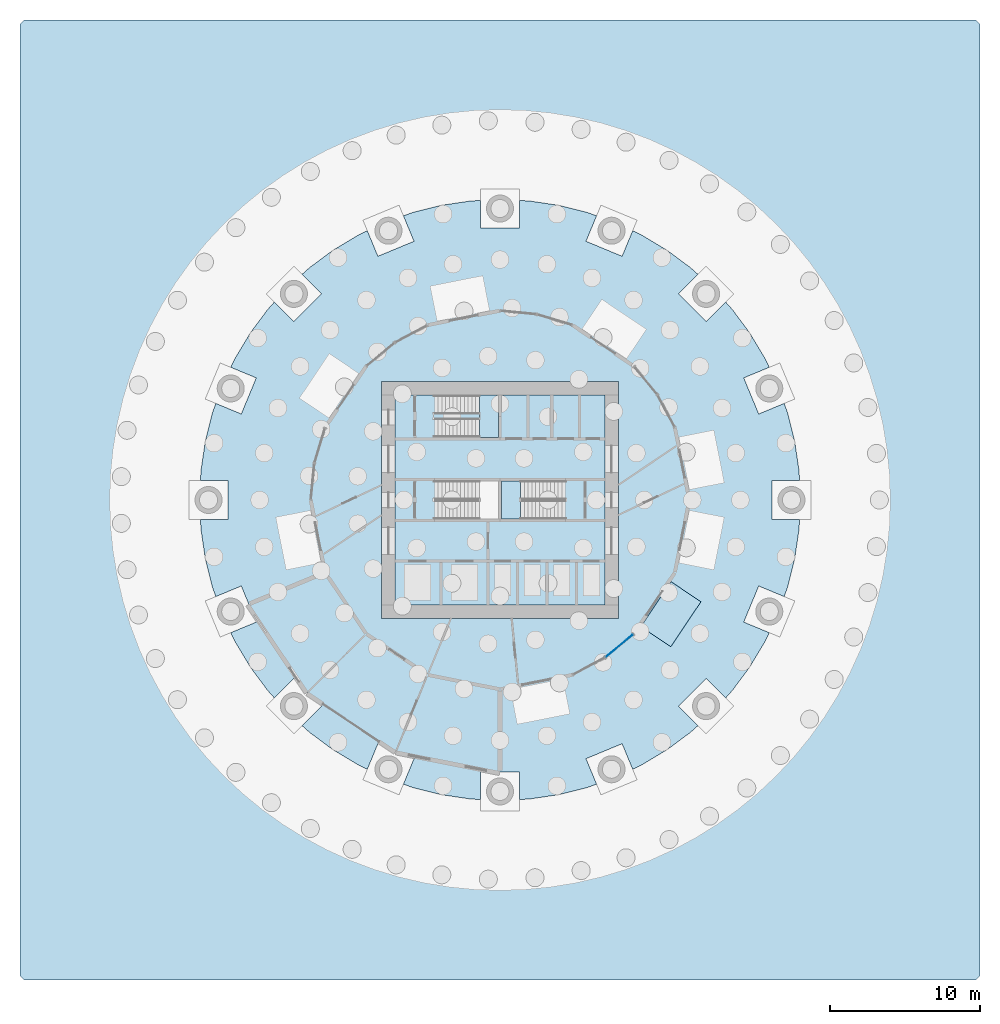
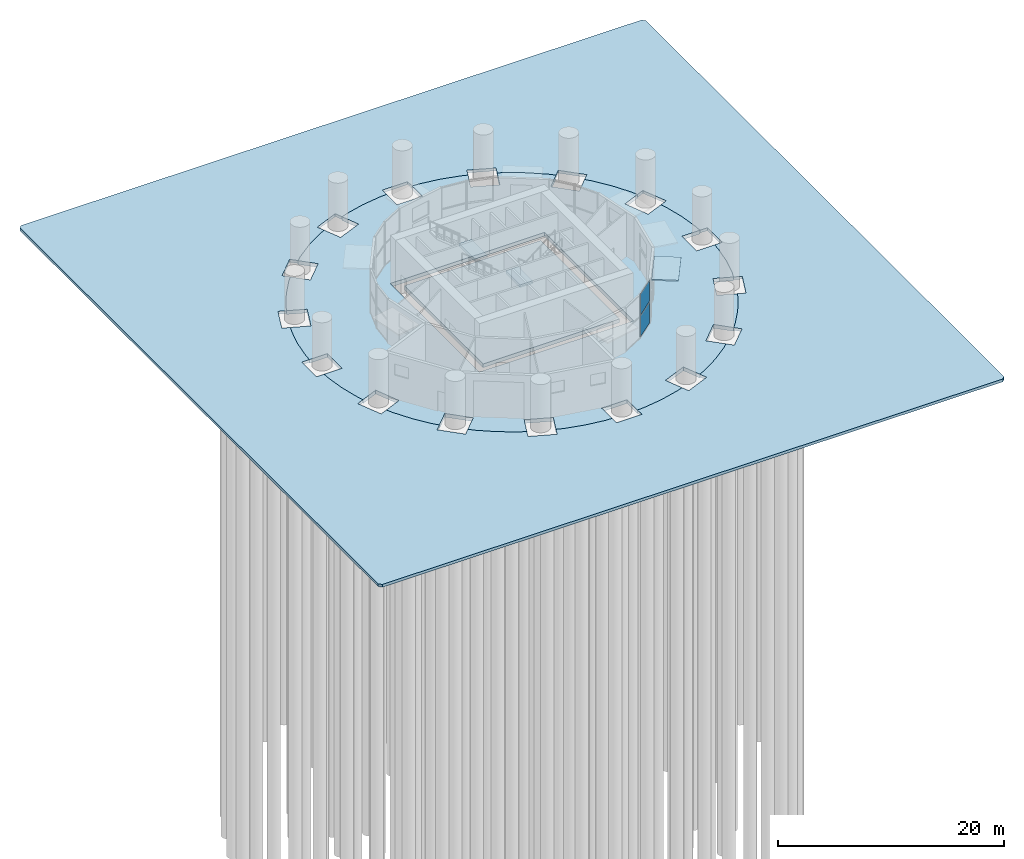
# One storey, part 4 of 10: 5 slabs, 3 plates, 3 elements without a shape of their own.
"""IFC4 building model written with IfcOpenShell, lengths in metres."""

from ifc_helpers import new_model, si_unit, direction, frame, origin, origin_2d, place, context, subcontext, project, spatial, polyline, rectangle, outline, extrude, material, layer, layer_set, type_object, element, aggregate, save


model = new_model("IFC4")

# Units and contexts
model_context = context("Model", 3, precision=1e-05, world=origin(), true_north=direction((0.0, 1.0)))
body_context = subcontext(model_context, "Body", "Model", "MODEL_VIEW")
ifc_project = project(units=[si_unit("LENGTHUNIT", "METRE"), si_unit("AREAUNIT", "SQUARE_METRE"), si_unit("VOLUMEUNIT", "CUBIC_METRE"), si_unit("PLANEANGLEUNIT", "RADIAN"), si_unit("MASSUNIT", "GRAM", prefix="KILO")], contexts=[model_context])

# Site, building, storey
site_placement = place(None, origin())
site = spatial("IfcSite", under=ifc_project, at=site_placement, CompositionType="ELEMENT")
building_placement = place(site_placement, origin())
building = spatial("IfcBuilding", under=site, at=building_placement, Name="Polderwave Tower", CompositionType="ELEMENT")
storey_placement = place(building_placement, origin())
storey = spatial("IfcBuildingStorey", under=building, at=storey_placement, Name="L00", CompositionType="ELEMENT", Elevation=0.0)

# Slab
ifc_material_1 = material(Name="Concrete C40/50", Category="concrete")
ifc_layer_1 = layer(ifc_material_1, 0.39990234375)
ifc_layer_set_1 = layer_set([ifc_layer_1], Name="Core floor slab 400")
slab_type_1 = type_object("IfcSlabType", Name="Core floor slab 400", PredefinedType="FLOOR", material=ifc_layer_set_1)
slab_1_placement = place(storey_placement, frame((0.0, 0.0, -0.39990234375)))
element("IfcSlab", 1, at=slab_1_placement, inside=storey, type_object=slab_type_1, Name="L00 core floor", PredefinedType="FLOOR", context=body_context, shape_type="SweptSolid", body=[
    extrude(outline(polyline([(-6.97412109375, -6.97412109375), (6.97412109375, -6.97412109375), (6.97412109375, 6.97412109375), (-6.97412109375, 6.97412109375), (-6.97412109375, -6.97412109375)])), origin(), (0.0, 0.0, 1.0), 0.39990234375),
])

# Plate
ifc_material_2 = material(Name="Stainless steel 316", Category="steel")
ifc_layer_2 = layer(ifc_material_2, 0.14990234375)
ifc_layer_set_2 = layer_set([ifc_layer_2], Name="Entrance canopy")
plate_type_1 = type_object("IfcPlateType", Name="Entrance canopy", PredefinedType="USERDEFINED", material=ifc_layer_set_2)
plate_1_placement = place(storey_placement, frame((11.376953125, -7.601806640625, 4.150146484375), z_axis=(0.0, 0.0, 1.0), x_axis=(0.55557023302, 0.831469612303, 0.0)))
element("IfcPlate", 2, at=plate_1_placement, inside=storey, type_object=plate_type_1, Name="Entrance canopy E7", ObjectType="CANOPY", PredefinedType="USERDEFINED", context=body_context, shape_type="SweptSolid", body=[
    extrude(rectangle(XDim=3.60009765625, YDim=2.39990234375, at=origin_2d()), origin(), (0.0, 0.0, 1.0), 0.14990234375),
])

# Curtain wall, plates
ifc_material_3 = material(Name="Aluminium 6063-T6 and glass", Category="aluminium")
curtain_wall_type = type_object("IfcCurtainWallType", Name="Entrance ring glazing wall", PredefinedType="NOTDEFINED", material=ifc_material_3)
curtain_wall_placement = place(storey_placement, origin())
curtain_wall = element("IfcCurtainWall", 3, at=curtain_wall_placement, inside=storey, type_object=curtain_wall_type, Name="CW5 L00 13b", PredefinedType="NOTDEFINED")
ifc_material_4 = material(Name="Glass, low-e laminated double glazing", Category="glass")
ifc_layer_3 = layer(ifc_material_4, 0.0400390625)
ifc_layer_set_3 = layer_set([ifc_layer_3], Name="Entrance ring glazing glass panel 40 mm")
plate_type_2 = type_object("IfcPlateType", Name="Entrance ring glazing glass panel 40 mm", PredefinedType="CURTAIN_PANEL", material=ifc_layer_set_3)
plate_2_placement = place(storey_placement, frame((7.955078125, -9.693603515625, 0.10009765625), z_axis=(0.0, 0.0, 1.0), x_axis=(0.773108987075, 0.63427320147, 0.0)))
plate_2 = element("IfcPlate", 4, at=plate_2_placement, type_object=plate_type_2, Name="CW5 panel 1", PredefinedType="CURTAIN_PANEL", context=body_context, shape_type="SweptSolid", body=[
    extrude(rectangle(XDim=2.340576171875, YDim=0.0400390625, at=origin_2d()), origin(), (0.0, 0.0, 1.0), 2.25),
])
plate_3_placement = place(storey_placement, frame((7.955078125, -9.693603515625, 2.449951171875), z_axis=(0.0, 0.0, 1.0), x_axis=(0.773108987075, 0.63427320147, 0.0)))
plate_3 = element("IfcPlate", 5, at=plate_3_placement, type_object=plate_type_2, Name="CW5 panel 2", PredefinedType="CURTAIN_PANEL", context=body_context, shape_type="SweptSolid", body=[
    extrude(rectangle(XDim=2.340576171875, YDim=0.0400390625, at=origin_2d()), origin(), (0.0, 0.0, 1.0), 2.25),
])
aggregate(curtain_wall, [plate_2, plate_3])

# Slabs
ifc_material_5 = material(Name="Concrete C35/45", Category="concrete")
ifc_layer_4 = layer(ifc_material_5, 0.39990234375)
ifc_layer_set_4 = layer_set([ifc_layer_4], Name="GROUND SLAB 400 C35/45")
slab_type_2 = type_object("IfcSlabType", Name="GROUND SLAB 400 C35/45", PredefinedType="BASESLAB", material=ifc_layer_set_4)
slab_2_placement = place(storey_placement, frame((0.0, 0.0, -0.39990234375)))
element("IfcSlab", 6, at=slab_2_placement, inside=storey, type_object=slab_type_2, Name="ST-SLAB-L00", PredefinedType="BASESLAB", context=body_context, shape_type="SweptSolid", body=[
    extrude(outline(polyline([(19.138916015625, 5.8056640625), (19.61572265625, 3.90185546875), (19.90380859375, 1.960205078125), (19.93603515625, 1.300048828125), (18.10009765625, 1.300048828125), (18.10009765625, -1.300048828125), (19.93603515625, -1.300048828125), (19.90380859375, -1.960205078125), (19.61572265625, -3.90185546875), (19.138916015625, -5.8056640625), (18.916015625, -6.42822265625), (17.2197265625, -5.7255859375), (16.224609375, -8.127685546875), (17.921142578125, -8.830322265625), (17.638427734375, -9.427978515625), (16.62939453125, -11.111328125), (15.460205078125, -12.68798828125), (15.01611328125, -13.177734375), (13.718017578125, -11.87939453125), (11.87939453125, -13.718017578125), (13.177734375, -15.01611328125), (12.68798828125, -15.460205078125), (11.111328125, -16.62939453125), (9.427978515625, -17.638427734375), (8.830322265625, -17.921142578125), (8.127685546875, -16.224609375), (5.7255859375, -17.2197265625), (6.42822265625, -18.916015625), (5.8056640625, -19.138916015625), (3.90185546875, -19.61572265625), (1.960205078125, -19.90380859375), (1.300048828125, -19.93603515625), (1.300048828125, -18.10009765625), (-1.300048828125, -18.10009765625), (-1.300048828125, -19.93603515625), (-1.960205078125, -19.90380859375), (-3.90185546875, -19.61572265625), (-5.8056640625, -19.138916015625), (-6.42822265625, -18.916015625), (-5.7255859375, -17.2197265625), (-8.127685546875, -16.224609375), (-8.830322265625, -17.921142578125), (-9.427978515625, -17.638427734375), (-11.111328125, -16.62939453125), (-12.68798828125, -15.460205078125), (-13.177734375, -15.01611328125), (-11.87939453125, -13.718017578125), (-13.718017578125, -11.87939453125), (-15.01611328125, -13.177734375), (-15.460205078125, -12.68798828125), (-16.62939453125, -11.111328125), (-17.638427734375, -9.427978515625), (-17.921142578125, -8.830322265625), (-16.224609375, -8.127685546875), (-17.2197265625, -5.7255859375), (-18.916015625, -6.42822265625), (-19.138916015625, -5.8056640625), (-19.61572265625, -3.90185546875), (-19.90380859375, -1.960205078125), (-19.93603515625, -1.300048828125), (-18.10009765625, -1.300048828125), (-18.10009765625, 1.300048828125), (-19.93603515625, 1.300048828125), (-19.90380859375, 1.960205078125), (-19.61572265625, 3.90185546875), (-19.138916015625, 5.8056640625), (-18.916015625, 6.42822265625), (-17.2197265625, 5.7255859375), (-16.224609375, 8.127685546875), (-17.921142578125, 8.830322265625), (-17.638427734375, 9.427978515625), (-16.62939453125, 11.111328125), (-15.460205078125, 12.68798828125), (-15.01611328125, 13.177734375), (-13.718017578125, 11.87939453125), (-11.87939453125, 13.718017578125), (-13.177734375, 15.01611328125), (-12.68798828125, 15.460205078125), (-11.111328125, 16.62939453125), (-9.427978515625, 17.638427734375), (-8.830322265625, 17.921142578125), (-8.127685546875, 16.224609375), (-5.7255859375, 17.2197265625), (-6.42822265625, 18.916015625), (-5.8056640625, 19.138916015625), (-3.90185546875, 19.61572265625), (-1.960205078125, 19.90380859375), (-1.300048828125, 19.93603515625), (-1.300048828125, 18.10009765625), (1.300048828125, 18.10009765625), (1.300048828125, 19.93603515625), (1.960205078125, 19.90380859375), (3.90185546875, 19.61572265625), (5.8056640625, 19.138916015625), (6.42822265625, 18.916015625), (5.7255859375, 17.2197265625), (8.127685546875, 16.224609375), (8.830322265625, 17.921142578125), (9.427978515625, 17.638427734375), (11.111328125, 16.62939453125), (12.68798828125, 15.460205078125), (13.177734375, 15.01611328125), (11.87939453125, 13.718017578125), (13.718017578125, 11.87939453125), (15.01611328125, 13.177734375), (15.460205078125, 12.68798828125), (16.62939453125, 11.111328125), (17.638427734375, 9.427978515625), (17.921142578125, 8.830322265625), (16.224609375, 8.127685546875), (17.2197265625, 5.7255859375), (18.916015625, 6.42822265625), (19.138916015625, 5.8056640625)]), holes=[polyline([(-7.8740234375, -7.8740234375), (7.8740234375, -7.8740234375), (7.8740234375, 7.8740234375), (-7.8740234375, 7.8740234375), (-7.8740234375, -7.8740234375)])]), origin(), (0.0, 0.0, 1.0), 0.39990234375),
])
ifc_material_6 = material(Name="Concrete C35/45 paving", Category="concrete")
ifc_layer_5 = layer(ifc_material_6, 0.300048828125)
ifc_layer_set_5 = layer_set([ifc_layer_5], Name="Plaza paving")
slab_type_3 = type_object("IfcSlabType", Name="Plaza paving", PredefinedType="USERDEFINED", material=ifc_layer_set_5)
slab_3_placement = place(storey_placement, frame((0.0, 0.0, -0.300048828125)))
element("IfcSlab", 7, at=slab_3_placement, inside=storey, type_object=slab_type_3, Name="Plaza paving", ObjectType="PAVING", PredefinedType="USERDEFINED", context=body_context, shape_type="SweptSolid", body=[
    extrude(outline(polyline([(31.949951171875, 31.6689453125), (31.67626953125, 31.949951171875), (-31.67626953125, 31.949951171875), (-31.949951171875, 31.6689453125), (-31.949951171875, -31.6689453125), (-31.67626953125, -31.949951171875), (31.67626953125, -31.949951171875), (31.949951171875, -31.6689453125), (31.949951171875, 31.6689453125)]), holes=[polyline([(1.302001953125, -20.7001953125), (1.302001953125, -20.700439453125), (1.302001953125, -20.70068359375), (1.3017578125, -20.70068359375), (1.3017578125, -20.700927734375), (1.3017578125, -20.701171875), (1.301513671875, -20.701416015625), (1.301513671875, -20.701416015625), (1.30126953125, -20.701416015625), (1.301025390625, -20.70166015625), (1.30078125, -20.701904296875), (1.30078125, -20.701904296875), (1.300537109375, -20.701904296875), (1.30029296875, -20.701904296875), (1.30029296875, -20.701904296875), (1.300048828125, -20.701904296875), (-1.300048828125, -20.701904296875), (-1.30029296875, -20.701904296875), (-1.30029296875, -20.701904296875), (-1.300537109375, -20.701904296875), (-1.30078125, -20.701904296875), (-1.30078125, -20.701904296875), (-1.301025390625, -20.70166015625), (-1.30126953125, -20.701416015625), (-1.301513671875, -20.701416015625), (-1.301513671875, -20.701416015625), (-1.3017578125, -20.701171875), (-1.3017578125, -20.700927734375), (-1.3017578125, -20.70068359375), (-1.302001953125, -20.70068359375), (-1.302001953125, -20.700439453125), (-1.302001953125, -20.7001953125), (-1.302001953125, -20.699951171875), (-1.302001953125, -19.93603515625), (-1.960205078125, -19.90380859375), (-3.90185546875, -19.61572265625), (-5.8056640625, -19.138916015625), (-6.42626953125, -18.916748046875), (-6.71875, -19.62255859375), (-6.71875, -19.622802734375), (-6.71875, -19.622802734375), (-6.718994140625, -19.623046875), (-6.718994140625, -19.623291015625), (-6.71923828125, -19.623291015625), (-6.719482421875, -19.62353515625), (-6.719482421875, -19.62353515625), (-6.7197265625, -19.62353515625), (-6.719970703125, -19.623779296875), (-6.72021484375, -19.623779296875), (-6.72021484375, -19.623779296875), (-6.720458984375, -19.623779296875), (-6.720703125, -19.623779296875), (-6.720947265625, -19.623779296875), (-6.72119140625, -19.623779296875), (-6.72119140625, -19.62353515625), (-9.123291015625, -18.628662109375), (-9.12353515625, -18.628662109375), (-9.123779296875, -18.62841796875), (-9.123779296875, -18.62841796875), (-9.1240234375, -18.628173828125), (-9.1240234375, -18.628173828125), (-9.124267578125, -18.6279296875), (-9.12451171875, -18.627685546875), (-9.12451171875, -18.627685546875), (-9.12451171875, -18.62744140625), (-9.12451171875, -18.627197265625), (-9.12451171875, -18.626953125), (-9.12451171875, -18.626708984375), (-9.12451171875, -18.626708984375), (-9.12451171875, -18.62646484375), (-9.12451171875, -18.626220703125), (-9.12451171875, -18.626220703125), (-8.83203125, -17.920166015625), (-9.427978515625, -17.638427734375), (-11.111328125, -16.62939453125), (-12.68798828125, -15.460205078125), (-13.17626953125, -15.017578125), (-13.716552734375, -15.557861328125), (-13.716552734375, -15.557861328125), (-13.716796875, -15.55810546875), (-13.716796875, -15.55810546875), (-13.717041015625, -15.55810546875), (-13.71728515625, -15.558349609375), (-13.717529296875, -15.558349609375), (-13.7177734375, -15.558349609375), (-13.718017578125, -15.558349609375), (-13.718017578125, -15.558349609375), (-13.71826171875, -15.558349609375), (-13.718505859375, -15.558349609375), (-13.718505859375, -15.55810546875), (-13.71875, -15.55810546875), (-13.718994140625, -15.55810546875), (-13.718994140625, -15.557861328125), (-13.71923828125, -15.557861328125), (-15.557861328125, -13.71923828125), (-15.557861328125, -13.718994140625), (-15.55810546875, -13.718994140625), (-15.55810546875, -13.71875), (-15.55810546875, -13.718505859375), (-15.558349609375, -13.718505859375), (-15.558349609375, -13.71826171875), (-15.558349609375, -13.718017578125), (-15.558349609375, -13.718017578125), (-15.558349609375, -13.7177734375), (-15.558349609375, -13.717529296875), (-15.558349609375, -13.71728515625), (-15.55810546875, -13.717041015625), (-15.55810546875, -13.716796875), (-15.55810546875, -13.716796875), (-15.557861328125, -13.716552734375), (-15.557861328125, -13.716552734375), (-15.017578125, -13.17626953125), (-15.460205078125, -12.68798828125), (-16.62939453125, -11.111328125), (-17.638427734375, -9.427978515625), (-17.920166015625, -8.83203125), (-18.626220703125, -9.12451171875), (-18.626220703125, -9.12451171875), (-18.62646484375, -9.12451171875), (-18.626708984375, -9.12451171875), (-18.626708984375, -9.12451171875), (-18.626953125, -9.12451171875), (-18.627197265625, -9.12451171875), (-18.62744140625, -9.12451171875), (-18.627685546875, -9.12451171875), (-18.627685546875, -9.12451171875), (-18.6279296875, -9.124267578125), (-18.628173828125, -9.1240234375), (-18.628173828125, -9.1240234375), (-18.62841796875, -9.123779296875), (-18.62841796875, -9.123779296875), (-18.628662109375, -9.12353515625), (-18.628662109375, -9.123291015625), (-19.62353515625, -6.72119140625), (-19.623779296875, -6.72119140625), (-19.623779296875, -6.720947265625), (-19.623779296875, -6.720703125), (-19.623779296875, -6.720458984375), (-19.623779296875, -6.72021484375), (-19.623779296875, -6.72021484375), (-19.623779296875, -6.719970703125), (-19.62353515625, -6.7197265625), (-19.62353515625, -6.719482421875), (-19.62353515625, -6.719482421875), (-19.623291015625, -6.71923828125), (-19.623291015625, -6.718994140625), (-19.623046875, -6.718994140625), (-19.622802734375, -6.71875), (-19.622802734375, -6.71875), (-19.62255859375, -6.71875), (-18.916748046875, -6.42626953125), (-19.138916015625, -5.8056640625), (-19.61572265625, -3.90185546875), (-19.90380859375, -1.960205078125), (-19.93603515625, -1.302001953125), (-20.699951171875, -1.302001953125), (-20.7001953125, -1.302001953125), (-20.700439453125, -1.302001953125), (-20.70068359375, -1.302001953125), (-20.70068359375, -1.3017578125), (-20.700927734375, -1.3017578125), (-20.701171875, -1.3017578125), (-20.701416015625, -1.301513671875), (-20.701416015625, -1.301513671875), (-20.701416015625, -1.30126953125), (-20.70166015625, -1.301025390625), (-20.701904296875, -1.30078125), (-20.701904296875, -1.30078125), (-20.701904296875, -1.300537109375), (-20.701904296875, -1.30029296875), (-20.701904296875, -1.30029296875), (-20.701904296875, -1.300048828125), (-20.701904296875, 1.300048828125), (-20.701904296875, 1.30029296875), (-20.701904296875, 1.30029296875), (-20.701904296875, 1.300537109375), (-20.701904296875, 1.30078125), (-20.701904296875, 1.30078125), (-20.70166015625, 1.301025390625), (-20.701416015625, 1.30126953125), (-20.701416015625, 1.301513671875), (-20.701416015625, 1.301513671875), (-20.701171875, 1.3017578125), (-20.700927734375, 1.3017578125), (-20.70068359375, 1.3017578125), (-20.70068359375, 1.302001953125), (-20.700439453125, 1.302001953125), (-20.7001953125, 1.302001953125), (-20.699951171875, 1.302001953125), (-19.93603515625, 1.302001953125), (-19.90380859375, 1.960205078125), (-19.61572265625, 3.90185546875), (-19.138916015625, 5.8056640625), (-18.916748046875, 6.42626953125), (-19.62255859375, 6.71875), (-19.622802734375, 6.71875), (-19.622802734375, 6.71875), (-19.623046875, 6.718994140625), (-19.623291015625, 6.718994140625), (-19.623291015625, 6.71923828125), (-19.62353515625, 6.719482421875), (-19.62353515625, 6.719482421875), (-19.62353515625, 6.7197265625), (-19.623779296875, 6.719970703125), (-19.623779296875, 6.72021484375), (-19.623779296875, 6.72021484375), (-19.623779296875, 6.720458984375), (-19.623779296875, 6.720703125), (-19.623779296875, 6.720947265625), (-19.623779296875, 6.72119140625), (-19.62353515625, 6.72119140625), (-18.628662109375, 9.123291015625), (-18.628662109375, 9.12353515625), (-18.62841796875, 9.123779296875), (-18.62841796875, 9.123779296875), (-18.628173828125, 9.1240234375), (-18.628173828125, 9.1240234375), (-18.6279296875, 9.124267578125), (-18.627685546875, 9.12451171875), (-18.627685546875, 9.12451171875), (-18.62744140625, 9.12451171875), (-18.627197265625, 9.12451171875), (-18.626953125, 9.12451171875), (-18.626708984375, 9.12451171875), (-18.626708984375, 9.12451171875), (-18.62646484375, 9.12451171875), (-18.626220703125, 9.12451171875), (-18.626220703125, 9.12451171875), (-17.920166015625, 8.83203125), (-17.638427734375, 9.427978515625), (-16.62939453125, 11.111328125), (-15.460205078125, 12.68798828125), (-15.017578125, 13.17626953125), (-15.557861328125, 13.716552734375), (-15.557861328125, 13.716552734375), (-15.55810546875, 13.716796875), (-15.55810546875, 13.716796875), (-15.55810546875, 13.717041015625), (-15.558349609375, 13.71728515625), (-15.558349609375, 13.717529296875), (-15.558349609375, 13.7177734375), (-15.558349609375, 13.718017578125), (-15.558349609375, 13.718017578125), (-15.558349609375, 13.71826171875), (-15.558349609375, 13.718505859375), (-15.55810546875, 13.718505859375), (-15.55810546875, 13.71875), (-15.55810546875, 13.718994140625), (-15.557861328125, 13.718994140625), (-15.557861328125, 13.71923828125), (-13.71923828125, 15.557861328125), (-13.718994140625, 15.557861328125), (-13.718994140625, 15.55810546875), (-13.71875, 15.55810546875), (-13.718505859375, 15.55810546875), (-13.718505859375, 15.558349609375), (-13.71826171875, 15.558349609375), (-13.718017578125, 15.558349609375), (-13.718017578125, 15.558349609375), (-13.7177734375, 15.558349609375), (-13.717529296875, 15.558349609375), (-13.71728515625, 15.558349609375), (-13.717041015625, 15.55810546875), (-13.716796875, 15.55810546875), (-13.716796875, 15.55810546875), (-13.716552734375, 15.557861328125), (-13.716552734375, 15.557861328125), (-13.17626953125, 15.017578125), (-12.68798828125, 15.460205078125), (-11.111328125, 16.62939453125), (-9.427978515625, 17.638427734375), (-8.83203125, 17.920166015625), (-9.12451171875, 18.626220703125), (-9.12451171875, 18.626220703125), (-9.12451171875, 18.62646484375), (-9.12451171875, 18.626708984375), (-9.12451171875, 18.626708984375), (-9.12451171875, 18.626953125), (-9.12451171875, 18.627197265625), (-9.12451171875, 18.62744140625), (-9.12451171875, 18.627685546875), (-9.12451171875, 18.627685546875), (-9.124267578125, 18.6279296875), (-9.1240234375, 18.628173828125), (-9.1240234375, 18.628173828125), (-9.123779296875, 18.62841796875), (-9.123779296875, 18.62841796875), (-9.12353515625, 18.628662109375), (-9.123291015625, 18.628662109375), (-6.72119140625, 19.62353515625), (-6.72119140625, 19.623779296875), (-6.720947265625, 19.623779296875), (-6.720703125, 19.623779296875), (-6.720458984375, 19.623779296875), (-6.72021484375, 19.623779296875), (-6.72021484375, 19.623779296875), (-6.719970703125, 19.623779296875), (-6.7197265625, 19.62353515625), (-6.719482421875, 19.62353515625), (-6.719482421875, 19.62353515625), (-6.71923828125, 19.623291015625), (-6.718994140625, 19.623291015625), (-6.718994140625, 19.623046875), (-6.71875, 19.622802734375), (-6.71875, 19.622802734375), (-6.71875, 19.62255859375), (-6.42626953125, 18.916748046875), (-5.8056640625, 19.138916015625), (-3.90185546875, 19.61572265625), (-1.960205078125, 19.90380859375), (-1.302001953125, 19.93603515625), (-1.302001953125, 20.699951171875), (-1.302001953125, 20.7001953125), (-1.302001953125, 20.700439453125), (-1.302001953125, 20.70068359375), (-1.3017578125, 20.70068359375), (-1.3017578125, 20.700927734375), (-1.3017578125, 20.701171875), (-1.301513671875, 20.701416015625), (-1.301513671875, 20.701416015625), (-1.30126953125, 20.701416015625), (-1.301025390625, 20.70166015625), (-1.30078125, 20.701904296875), (-1.30078125, 20.701904296875), (-1.300537109375, 20.701904296875), (-1.30029296875, 20.701904296875), (-1.30029296875, 20.701904296875), (-1.300048828125, 20.701904296875), (1.300048828125, 20.701904296875), (1.30029296875, 20.701904296875), (1.30029296875, 20.701904296875), (1.300537109375, 20.701904296875), (1.30078125, 20.701904296875), (1.30078125, 20.701904296875), (1.301025390625, 20.70166015625), (1.30126953125, 20.701416015625), (1.301513671875, 20.701416015625), (1.301513671875, 20.701416015625), (1.3017578125, 20.701171875), (1.3017578125, 20.700927734375), (1.3017578125, 20.70068359375), (1.302001953125, 20.70068359375), (1.302001953125, 20.700439453125), (1.302001953125, 20.7001953125), (1.302001953125, 20.699951171875), (1.302001953125, 19.93603515625), (1.960205078125, 19.90380859375), (3.90185546875, 19.61572265625), (5.8056640625, 19.138916015625), (6.42626953125, 18.916748046875), (6.71875, 19.62255859375), (6.71875, 19.622802734375), (6.71875, 19.622802734375), (6.718994140625, 19.623046875), (6.718994140625, 19.623291015625), (6.71923828125, 19.623291015625), (6.719482421875, 19.62353515625), (6.719482421875, 19.62353515625), (6.7197265625, 19.62353515625), (6.719970703125, 19.623779296875), (6.72021484375, 19.623779296875), (6.72021484375, 19.623779296875), (6.720458984375, 19.623779296875), (6.720703125, 19.623779296875), (6.720947265625, 19.623779296875), (6.72119140625, 19.623779296875), (6.72119140625, 19.62353515625), (9.123291015625, 18.628662109375), (9.12353515625, 18.628662109375), (9.123779296875, 18.62841796875), (9.123779296875, 18.62841796875), (9.1240234375, 18.628173828125), (9.1240234375, 18.628173828125), (9.124267578125, 18.6279296875), (9.12451171875, 18.627685546875), (9.12451171875, 18.627685546875), (9.12451171875, 18.62744140625), (9.12451171875, 18.627197265625), (9.12451171875, 18.626953125), (9.12451171875, 18.626708984375), (9.12451171875, 18.626708984375), (9.12451171875, 18.62646484375), (9.12451171875, 18.626220703125), (9.12451171875, 18.626220703125), (8.83203125, 17.920166015625), (9.427978515625, 17.638427734375), (11.111328125, 16.62939453125), (12.68798828125, 15.460205078125), (13.17626953125, 15.017578125), (13.716552734375, 15.557861328125), (13.716552734375, 15.557861328125), (13.716796875, 15.55810546875), (13.716796875, 15.55810546875), (13.717041015625, 15.55810546875), (13.71728515625, 15.558349609375), (13.717529296875, 15.558349609375), (13.7177734375, 15.558349609375), (13.718017578125, 15.558349609375), (13.718017578125, 15.558349609375), (13.71826171875, 15.558349609375), (13.718505859375, 15.558349609375), (13.718505859375, 15.55810546875), (13.71875, 15.55810546875), (13.718994140625, 15.55810546875), (13.718994140625, 15.557861328125), (13.71923828125, 15.557861328125), (15.557861328125, 13.71923828125), (15.557861328125, 13.718994140625), (15.55810546875, 13.718994140625), (15.55810546875, 13.71875), (15.55810546875, 13.718505859375), (15.558349609375, 13.718505859375), (15.558349609375, 13.71826171875), (15.558349609375, 13.718017578125), (15.558349609375, 13.718017578125), (15.558349609375, 13.7177734375), (15.558349609375, 13.717529296875), (15.558349609375, 13.71728515625), (15.55810546875, 13.717041015625), (15.55810546875, 13.716796875), (15.55810546875, 13.716796875), (15.557861328125, 13.716552734375), (15.557861328125, 13.716552734375), (15.017578125, 13.17626953125), (15.460205078125, 12.68798828125), (16.62939453125, 11.111328125), (17.638427734375, 9.427978515625), (17.920166015625, 8.83203125), (18.626220703125, 9.12451171875), (18.626220703125, 9.12451171875), (18.62646484375, 9.12451171875), (18.626708984375, 9.12451171875), (18.626708984375, 9.12451171875), (18.626953125, 9.12451171875), (18.627197265625, 9.12451171875), (18.62744140625, 9.12451171875), (18.627685546875, 9.12451171875), (18.627685546875, 9.12451171875), (18.6279296875, 9.124267578125), (18.628173828125, 9.1240234375), (18.628173828125, 9.1240234375), (18.62841796875, 9.123779296875), (18.62841796875, 9.123779296875), (18.628662109375, 9.12353515625), (18.628662109375, 9.123291015625), (19.62353515625, 6.72119140625), (19.623779296875, 6.72119140625), (19.623779296875, 6.720947265625), (19.623779296875, 6.720703125), (19.623779296875, 6.720458984375), (19.623779296875, 6.72021484375), (19.623779296875, 6.72021484375), (19.623779296875, 6.719970703125), (19.62353515625, 6.7197265625), (19.62353515625, 6.719482421875), (19.62353515625, 6.719482421875), (19.623291015625, 6.71923828125), (19.623291015625, 6.718994140625), (19.623046875, 6.718994140625), (19.622802734375, 6.71875), (19.622802734375, 6.71875), (19.62255859375, 6.71875), (18.916748046875, 6.42626953125), (19.138916015625, 5.8056640625), (19.61572265625, 3.90185546875), (19.90380859375, 1.960205078125), (19.93603515625, 1.302001953125), (20.699951171875, 1.302001953125), (20.7001953125, 1.302001953125), (20.700439453125, 1.302001953125), (20.70068359375, 1.302001953125), (20.70068359375, 1.3017578125), (20.700927734375, 1.3017578125), (20.701171875, 1.3017578125), (20.701416015625, 1.301513671875), (20.701416015625, 1.301513671875), (20.701416015625, 1.30126953125), (20.70166015625, 1.301025390625), (20.701904296875, 1.30078125), (20.701904296875, 1.30078125), (20.701904296875, 1.300537109375), (20.701904296875, 1.30029296875), (20.701904296875, 1.30029296875), (20.701904296875, 1.300048828125), (20.701904296875, -1.300048828125), (20.701904296875, -1.30029296875), (20.701904296875, -1.30029296875), (20.701904296875, -1.300537109375), (20.701904296875, -1.30078125), (20.701904296875, -1.30078125), (20.70166015625, -1.301025390625), (20.701416015625, -1.30126953125), (20.701416015625, -1.301513671875), (20.701416015625, -1.301513671875), (20.701171875, -1.3017578125), (20.700927734375, -1.3017578125), (20.70068359375, -1.3017578125), (20.70068359375, -1.302001953125), (20.700439453125, -1.302001953125), (20.7001953125, -1.302001953125), (20.699951171875, -1.302001953125), (19.93603515625, -1.302001953125), (19.90380859375, -1.960205078125), (19.61572265625, -3.90185546875), (19.138916015625, -5.8056640625), (18.916748046875, -6.42626953125), (19.62255859375, -6.71875), (19.622802734375, -6.71875), (19.622802734375, -6.71875), (19.623046875, -6.718994140625), (19.623291015625, -6.718994140625), (19.623291015625, -6.71923828125), (19.62353515625, -6.719482421875), (19.62353515625, -6.719482421875), (19.62353515625, -6.7197265625), (19.623779296875, -6.719970703125), (19.623779296875, -6.72021484375), (19.623779296875, -6.72021484375), (19.623779296875, -6.720458984375), (19.623779296875, -6.720703125), (19.623779296875, -6.720947265625), (19.623779296875, -6.72119140625), (19.62353515625, -6.72119140625), (18.628662109375, -9.123291015625), (18.628662109375, -9.12353515625), (18.62841796875, -9.123779296875), (18.62841796875, -9.123779296875), (18.628173828125, -9.1240234375), (18.628173828125, -9.1240234375), (18.6279296875, -9.124267578125), (18.627685546875, -9.12451171875), (18.627685546875, -9.12451171875), (18.62744140625, -9.12451171875), (18.627197265625, -9.12451171875), (18.626953125, -9.12451171875), (18.626708984375, -9.12451171875), (18.626708984375, -9.12451171875), (18.62646484375, -9.12451171875), (18.626220703125, -9.12451171875), (18.626220703125, -9.12451171875), (17.920166015625, -8.83203125), (17.638427734375, -9.427978515625), (16.62939453125, -11.111328125), (15.460205078125, -12.68798828125), (15.017578125, -13.17626953125), (15.557861328125, -13.716552734375), (15.557861328125, -13.716552734375), (15.55810546875, -13.716796875), (15.55810546875, -13.716796875), (15.55810546875, -13.717041015625), (15.558349609375, -13.71728515625), (15.558349609375, -13.717529296875), (15.558349609375, -13.7177734375), (15.558349609375, -13.718017578125), (15.558349609375, -13.718017578125), (15.558349609375, -13.71826171875), (15.558349609375, -13.718505859375), (15.55810546875, -13.718505859375), (15.55810546875, -13.71875), (15.55810546875, -13.718994140625), (15.557861328125, -13.718994140625), (15.557861328125, -13.71923828125), (13.71923828125, -15.557861328125), (13.718994140625, -15.557861328125), (13.718994140625, -15.55810546875), (13.71875, -15.55810546875), (13.718505859375, -15.55810546875), (13.718505859375, -15.558349609375), (13.71826171875, -15.558349609375), (13.718017578125, -15.558349609375), (13.718017578125, -15.558349609375), (13.7177734375, -15.558349609375), (13.717529296875, -15.558349609375), (13.71728515625, -15.558349609375), (13.717041015625, -15.55810546875), (13.716796875, -15.55810546875), (13.716796875, -15.55810546875), (13.716552734375, -15.557861328125), (13.716552734375, -15.557861328125), (13.17626953125, -15.017578125), (12.68798828125, -15.460205078125), (11.111328125, -16.62939453125), (9.427978515625, -17.638427734375), (8.83203125, -17.920166015625), (9.12451171875, -18.626220703125), (9.12451171875, -18.626220703125), (9.12451171875, -18.62646484375), (9.12451171875, -18.626708984375), (9.12451171875, -18.626708984375), (9.12451171875, -18.626953125), (9.12451171875, -18.627197265625), (9.12451171875, -18.62744140625), (9.12451171875, -18.627685546875), (9.12451171875, -18.627685546875), (9.124267578125, -18.6279296875), (9.1240234375, -18.628173828125), (9.1240234375, -18.628173828125), (9.123779296875, -18.62841796875), (9.123779296875, -18.62841796875), (9.12353515625, -18.628662109375), (9.123291015625, -18.628662109375), (6.72119140625, -19.62353515625), (6.72119140625, -19.623779296875), (6.720947265625, -19.623779296875), (6.720703125, -19.623779296875), (6.720458984375, -19.623779296875), (6.72021484375, -19.623779296875), (6.72021484375, -19.623779296875), (6.719970703125, -19.623779296875), (6.7197265625, -19.62353515625), (6.719482421875, -19.62353515625), (6.719482421875, -19.62353515625), (6.71923828125, -19.623291015625), (6.718994140625, -19.623291015625), (6.718994140625, -19.623046875), (6.71875, -19.622802734375), (6.71875, -19.622802734375), (6.71875, -19.62255859375), (6.42626953125, -18.916748046875), (5.8056640625, -19.138916015625), (3.90185546875, -19.61572265625), (1.960205078125, -19.90380859375), (1.302001953125, -19.93603515625), (1.302001953125, -20.699951171875), (1.302001953125, -20.7001953125)])]), origin(), (0.0, 0.0, 1.0), 0.300048828125),
])

# Stair, slab
stair_type = type_object("IfcStairType", Name="Exit stair 1200 x 26 risers", PredefinedType="HALF_TURN_STAIR", material=ifc_material_1)
stair_1_placement = place(storey_placement, origin())
stair_1 = element("IfcStair", 8, at=stair_1_placement, inside=storey, type_object=stair_type, Name="L00 Exit stair B", PredefinedType="HALF_TURN_STAIR")
ifc_layer_6 = layer(ifc_material_1, 0.300048828125)
ifc_layer_set_6 = layer_set([ifc_layer_6], Name="Stair landing 300")
slab_type_4 = type_object("IfcSlabType", Name="Stair landing 300", PredefinedType="LANDING", material=ifc_layer_set_6)
slab_4_placement = place(storey_placement, frame((0.0, 0.0, 2.300048828125)))
slab_4 = element("IfcSlab", 9, at=slab_4_placement, type_object=slab_type_4, Name="ST-B landing 1", PredefinedType="LANDING", context=body_context, shape_type="SweptSolid", body=[
    extrude(outline(polyline([(1.3740234375, 1.27490234375), (0.10009765625, 1.27490234375), (0.10009765625, -1.27490234375), (1.3740234375, -1.27490234375), (1.3740234375, 1.27490234375)])), origin(), (0.0, 0.0, 1.0), 0.300048828125),
])
aggregate(stair_1, [slab_4])

stair_2_placement = place(storey_placement, origin())
stair_2 = element("IfcStair", 10, at=stair_2_placement, inside=storey, type_object=stair_type, Name="L00 Exit stair C", PredefinedType="HALF_TURN_STAIR")
slab_5_placement = place(storey_placement, frame((0.0, 0.0, 2.300048828125)))
slab_5 = element("IfcSlab", 11, at=slab_5_placement, type_object=slab_type_4, Name="ST-C landing 1", PredefinedType="LANDING", context=body_context, shape_type="SweptSolid", body=[
    extrude(outline(polyline([(-1.3740234375, 4.174072265625), (-0.10009765625, 4.174072265625), (-0.10009765625, 6.97412109375), (-1.3740234375, 6.97412109375), (-1.3740234375, 4.174072265625)])), origin(), (0.0, 0.0, 1.0), 0.300048828125),
])
aggregate(stair_2, [slab_5])

save(model, "model.ifc")
